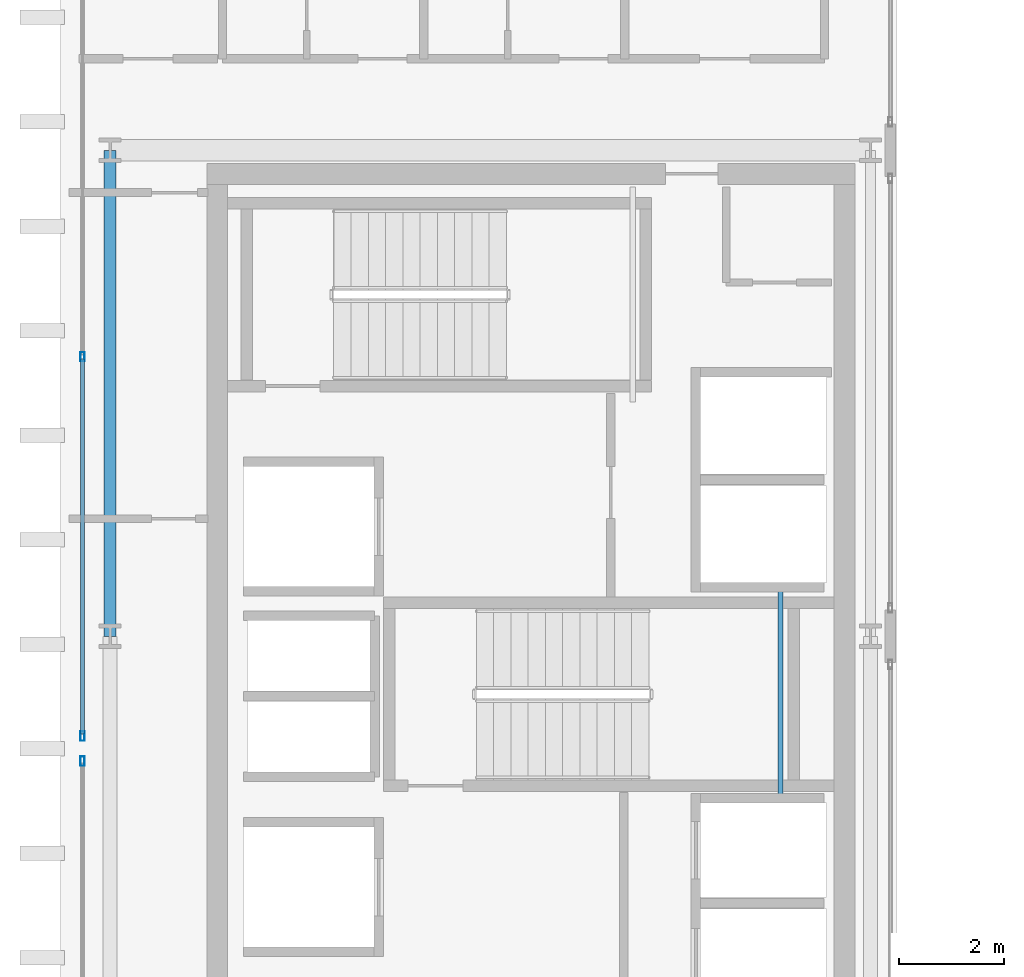
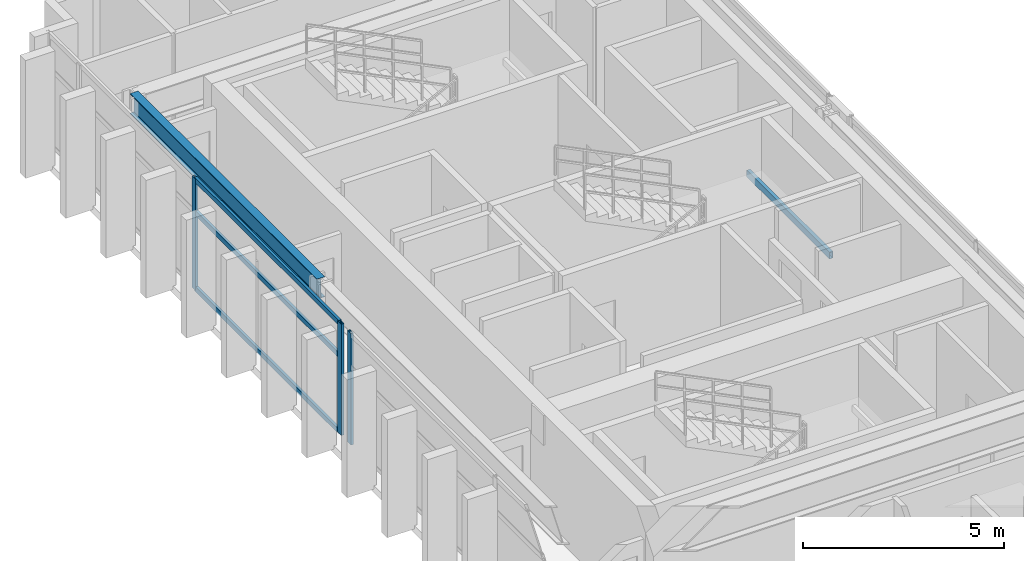
# One storey, part 5 of 25: 6 members, 2 beams, 2 elements without a shape of their own.
"""IFC4 building model written with IfcOpenShell, lengths in metres."""

from ifc_helpers import new_model, si_unit, direction, frame, origin, origin_2d, place, context, subcontext, project, spatial, hollow_rectangle, i_section, extrude, source, transform, mapped, material, layer, layer_set, material_profile, profile_set, type_object, element, aggregate, save


model = new_model("IFC4")

# Units and contexts
model_context = context("Model", 3, precision=1e-05, world=origin(), true_north=direction((0.0, 1.0)))
body_context = subcontext(model_context, "Body", "Model", "MODEL_VIEW")
ifc_project = project(units=[si_unit("LENGTHUNIT", "METRE"), si_unit("AREAUNIT", "SQUARE_METRE"), si_unit("VOLUMEUNIT", "CUBIC_METRE"), si_unit("PLANEANGLEUNIT", "RADIAN"), si_unit("MASSUNIT", "GRAM", prefix="KILO")], contexts=[model_context])

# Site, building, storey
site_placement = place(None, origin())
site = spatial("IfcSite", under=ifc_project, at=site_placement, CompositionType="ELEMENT")
building_placement = place(site_placement, origin())
building = spatial("IfcBuilding", under=site, at=building_placement, Name="Ocotamira Hotel", CompositionType="ELEMENT")
storey_placement = place(building_placement, frame((0.0, 0.0, 265.199951171875)))
storey = spatial("IfcBuildingStorey", under=building, at=storey_placement, Name="L67", CompositionType="ELEMENT", Elevation=265.199951171875)

# Beams
ifc_material_1 = material(Name="Steel ASTM A500 Grade C", Category="steel")
ifc_material_profile_1 = material_profile(ifc_material_1, hollow_rectangle(XDim=0.10009765625, YDim=0.199951171875, WallThickness=0.008056640625, at=origin_2d()), Name="HSS200X100X8")
ifc_profile_set_1 = profile_set([ifc_material_profile_1], Name="Steel ASTM A500 Grade C")
beam_type_1 = type_object("IfcBeamType", Name="BM-STLDG-HSS200", PredefinedType="BEAM", material=ifc_profile_set_1)
shared_shape_1 = source(origin(), body_context, "Body", "SweptSolid", [
    extrude(hollow_rectangle(XDim=0.10009765625, YDim=0.199951171875, WallThickness=0.008056640625, at=origin_2d()), origin(), (0.0, 0.0, 1.0), 4.1201171875),
])
beam_1_placement = place(storey_placement, frame((21.780029296875, 24.97998046875, 1.5), z_axis=(0.0, 1.0, 0.0), x_axis=(-1.0, 0.0, 0.0)))
element("IfcBeam", 1, at=beam_1_placement, inside=storey, type_object=beam_type_1, Name="L67 Stair ST-3 Landing Bearer 1", PredefinedType="BEAM", context=body_context, shape_type="MappedRepresentation", body=[
    mapped(shared_shape_1, transform((0.0, 0.0, 0.0), scale=1.0)),
])
ifc_material_2 = material(Name="Steel ASTM A992 Grade 50", Category="steel")
ifc_material_profile_2 = material_profile(ifc_material_2, i_section(OverallWidth=0.22998046875, OverallDepth=0.616943359375, WebThickness=0.01318359375, FlangeThickness=0.022216796875, FilletRadius=0.012939453125, at=origin_2d()), Name="W24X94")
ifc_profile_set_2 = profile_set([ifc_material_profile_2], Name="Steel ASTM A992 Grade 50")
beam_type_2 = type_object("IfcBeamType", Name="BM-PRIM-W24X94", PredefinedType="BEAM", material=ifc_profile_set_2)
shared_shape_2 = source(origin(), body_context, "Body", "SweptSolid", [
    extrude(i_section(OverallWidth=0.22998046875, OverallDepth=0.616943359375, WebThickness=0.01318359375, FlangeThickness=0.022216796875, FilletRadius=0.012939453125, at=origin_2d()), origin(), (0.0, 0.0, 1.0), 9.300048828125),
])
beam_2_placement = place(storey_placement, frame((8.949951171875, 28.14990234375, 3.071533203125), z_axis=(0.0, 1.0, 0.0), x_axis=(-1.0, 0.0, 0.0)))
element("IfcBeam", 2, at=beam_2_placement, inside=storey, type_object=beam_type_2, Name="L67 Beam X8.95 Y28.15-37.45", PredefinedType="BEAM", context=body_context, shape_type="MappedRepresentation", body=[
    mapped(shared_shape_2, transform((0.0, 0.0, 0.0), scale=1.0)),
])

# Curtain wall, member
ifc_material_3 = material(Name="Anodised pale-metal aluminium and solar glass", Category="aluminium")
ifc_layer = layer(ifc_material_3, 0.2099609375)
ifc_layer_set = layer_set([ifc_layer], Name="Anodised pale-metal aluminium and solar glass")
curtain_wall_type = type_object("IfcCurtainWallType", Name="CW-SYS7-PEAK", PredefinedType="NOTDEFINED", material=ifc_layer_set)
curtain_wall_1_placement = place(storey_placement, origin())
curtain_wall_1 = element("IfcCurtainWall", 3, at=curtain_wall_1_placement, inside=storey, type_object=curtain_wall_type, Name="L67 Curtain Wall CW-7 CW-L67-WO1", PredefinedType="NOTDEFINED")
ifc_material_4 = material(Name="Anodised pale-metal aluminium 6063-T6", Category="aluminium")
ifc_material_profile_3 = material_profile(ifc_material_4, hollow_rectangle(XDim=0.080078125, YDim=0.179931640625, WallThickness=0.006103515625, at=origin_2d()), Name="HSS180X80X6")
ifc_profile_set_3 = profile_set([ifc_material_profile_3], Name="Anodised pale-metal aluminium 6063-T6")
member_type_1 = type_object("IfcMemberType", Name="CWM-180X75", PredefinedType="MULLION", material=ifc_profile_set_3)
shared_shape_3 = source(origin(), body_context, "Body", "SweptSolid", [
    extrude(hollow_rectangle(XDim=0.080078125, YDim=0.179931640625, WallThickness=0.006103515625, at=origin_2d()), origin(), (0.0, 0.0, 1.0), 3.380126953125),
])
member_1_placement = place(storey_placement, frame((8.419921875, 25.760009765625, 0.0), z_axis=(0.0, 0.0, 1.0), x_axis=(-1.0, 0.0, 0.0)))
member_1 = element("IfcMember", 4, at=member_1_placement, type_object=member_type_1, Name="CW-7 mullion 3", PredefinedType="MULLION", context=body_context, shape_type="MappedRepresentation", body=[
    mapped(shared_shape_3, transform((0.0, 0.0, 0.0), scale=1.0)),
])
aggregate(curtain_wall_1, [member_1])

# Curtain wall, members
curtain_wall_2_placement = place(storey_placement, origin())
curtain_wall_2 = element("IfcCurtainWall", 5, at=curtain_wall_2_placement, inside=storey, type_object=curtain_wall_type, Name="L67 Curtain Wall CW-7 CW-L67-WO2", PredefinedType="NOTDEFINED")
member_2_placement = place(storey_placement, frame((8.419921875, 26.239990234375, 0.0), z_axis=(0.0, 0.0, 1.0), x_axis=(-1.0, 0.0, 0.0)))
member_2 = element("IfcMember", 6, at=member_2_placement, type_object=member_type_1, Name="CW-7 mullion 1", PredefinedType="MULLION", context=body_context, shape_type="MappedRepresentation", body=[
    mapped(shared_shape_3, transform((0.0, 0.0, 0.0), scale=1.0)),
])
member_3_placement = place(storey_placement, frame((8.419921875, 33.5, 0.0), z_axis=(0.0, 0.0, 1.0), x_axis=(-1.0, 0.0, 0.0)))
member_3 = element("IfcMember", 7, at=member_3_placement, type_object=member_type_1, Name="CW-7 mullion 2", PredefinedType="MULLION", context=body_context, shape_type="MappedRepresentation", body=[
    mapped(shared_shape_3, transform((0.0, 0.0, 0.0), scale=1.0)),
])
ifc_material_profile_4 = material_profile(ifc_material_4, hollow_rectangle(XDim=0.074951171875, YDim=0.14990234375, WallThickness=0.006103515625, at=origin_2d()), Name="HSS150X75X6")
ifc_profile_set_4 = profile_set([ifc_material_profile_4], Name="Anodised pale-metal aluminium 6063-T6")
member_type_2 = type_object("IfcMemberType", Name="CWT-150X75", PredefinedType="USERDEFINED", material=ifc_profile_set_4)
shared_shape_4 = source(origin(), body_context, "Body", "SweptSolid", [
    extrude(hollow_rectangle(XDim=0.074951171875, YDim=0.14990234375, WallThickness=0.006103515625, at=origin_2d()), origin(), (0.0, 0.0, 1.0), 7.179931640625),
])
member_4_placement = place(storey_placement, frame((8.419921875, 26.280029296875, 0.03759765625), z_axis=(0.0, 1.0, 0.0), x_axis=(-1.0, 0.0, 0.0)))
member_4 = element("IfcMember", 8, at=member_4_placement, type_object=member_type_2, Name="CW-7 transom 1.1", ObjectType="TRANSOM", PredefinedType="USERDEFINED", context=body_context, shape_type="MappedRepresentation", body=[
    mapped(shared_shape_4, transform((0.0, 0.0, 0.0), scale=1.0)),
])
member_5_placement = place(storey_placement, frame((8.419921875, 26.280029296875, 2.35009765625), z_axis=(0.0, 1.0, 0.0), x_axis=(-1.0, 0.0, 0.0)))
member_5 = element("IfcMember", 9, at=member_5_placement, type_object=member_type_2, Name="CW-7 transom 1.2", ObjectType="TRANSOM", PredefinedType="USERDEFINED", context=body_context, shape_type="MappedRepresentation", body=[
    mapped(shared_shape_4, transform((0.0, 0.0, 0.0), scale=1.0)),
])
member_6_placement = place(storey_placement, frame((8.419921875, 26.280029296875, 3.342529296875), z_axis=(0.0, 1.0, 0.0), x_axis=(-1.0, 0.0, 0.0)))
member_6 = element("IfcMember", 10, at=member_6_placement, type_object=member_type_2, Name="CW-7 transom 1.3", ObjectType="TRANSOM", PredefinedType="USERDEFINED", context=body_context, shape_type="MappedRepresentation", body=[
    mapped(shared_shape_4, transform((0.0, 0.0, 0.0), scale=1.0)),
])
aggregate(curtain_wall_2, [member_2, member_3, member_4, member_5, member_6])

save(model, "model.ifc")
